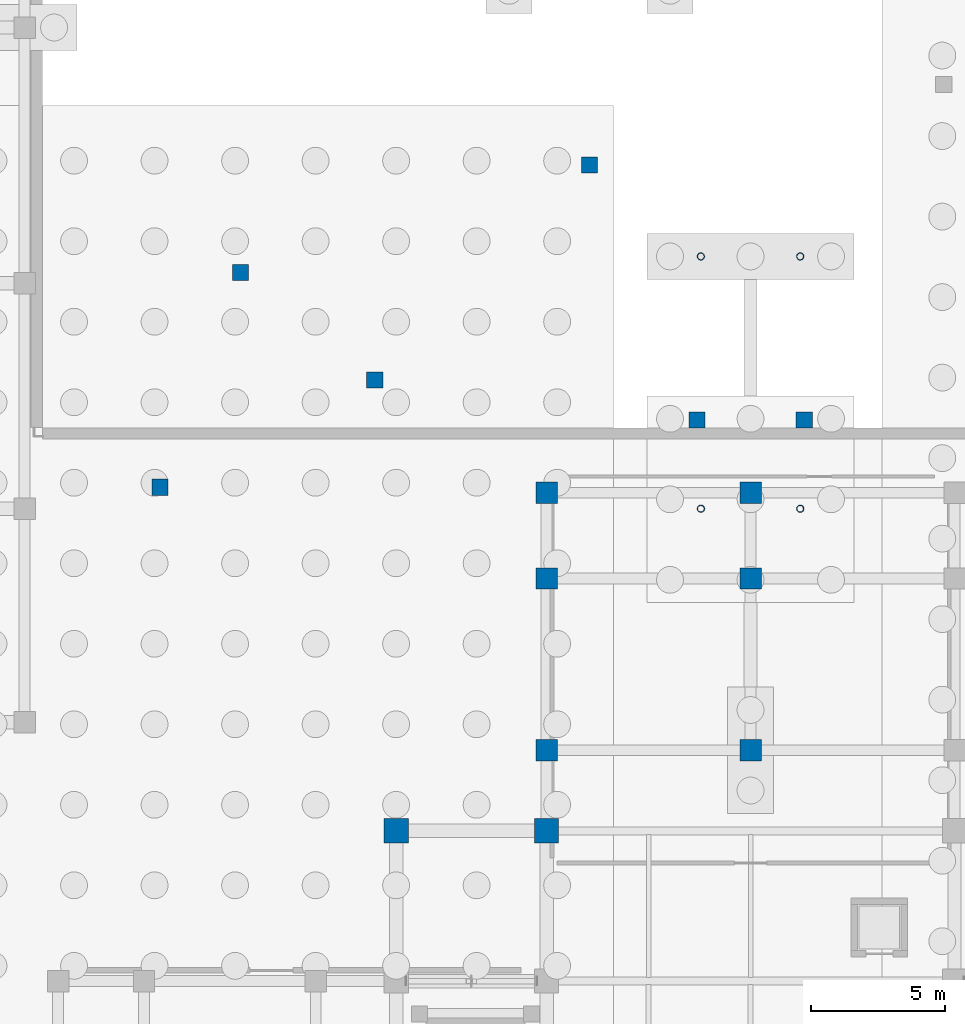
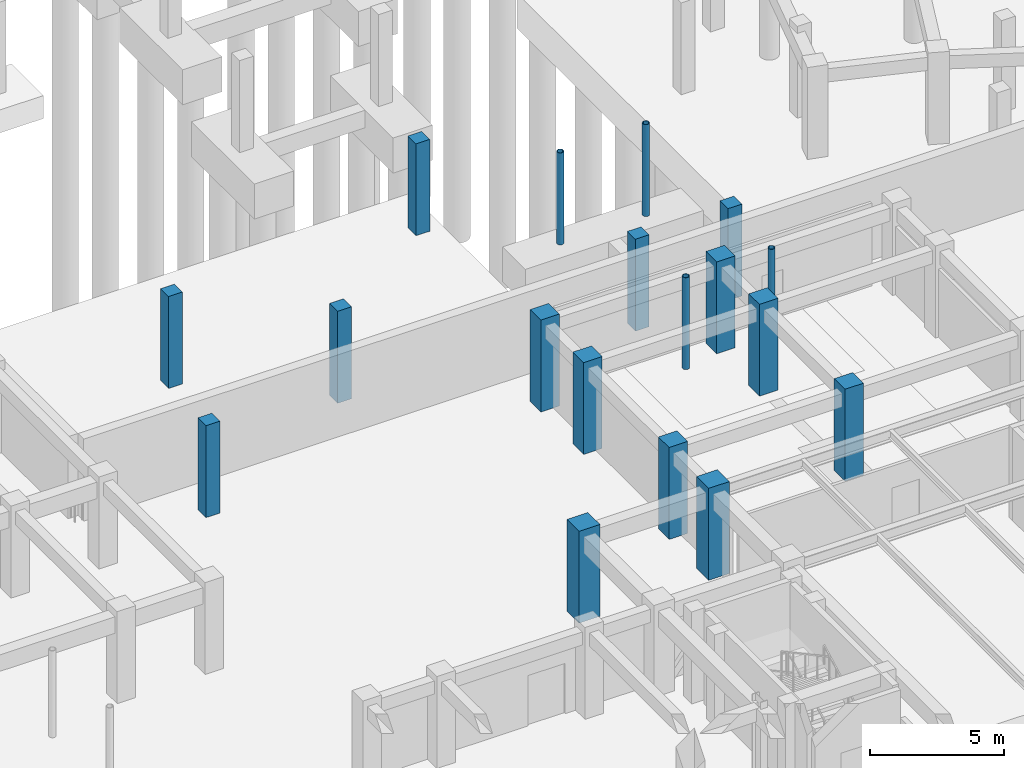
# One storey, part 12 of 33: 18 columns.
"""IFC4 building model written with IfcOpenShell, lengths in metres."""

from ifc_helpers import new_model, si_unit, direction, frame, origin, origin_2d, place, context, subcontext, project, spatial, rectangle, hollow_circle, extrude, material, material_profile, profile_set, type_object, element, save


model = new_model("IFC4")

# Units and contexts
model_context = context("Model", 3, precision=1e-05, world=origin(), true_north=direction((0.0, 1.0)))
body_context = subcontext(model_context, "Body", "Model", "MODEL_VIEW")
ifc_project = project(units=[si_unit("LENGTHUNIT", "METRE"), si_unit("AREAUNIT", "SQUARE_METRE"), si_unit("VOLUMEUNIT", "CUBIC_METRE"), si_unit("PLANEANGLEUNIT", "RADIAN"), si_unit("MASSUNIT", "GRAM", prefix="KILO")], contexts=[model_context])

# Site, building, storey
site_placement = place(None, origin())
site = spatial("IfcSite", under=ifc_project, at=site_placement, CompositionType="ELEMENT")
building_placement = place(site_placement, origin())
building = spatial("IfcBuilding", under=site, at=building_placement, Name="Saryqyr Civic Hall", CompositionType="ELEMENT")
storey_placement = place(building_placement, frame((0.0, 0.0, -4.199951171875)))
storey = spatial("IfcBuildingStorey", under=building, at=storey_placement, Name="B1", CompositionType="ELEMENT", Elevation=-4.199951171875)

# Columns
ifc_material_1 = material(Name="Steel S355", Category="steel")
ifc_material_profile_1 = material_profile(ifc_material_1, hollow_circle(Radius=0.136474609375, WallThickness=0.01611328125, at=origin_2d()), Name="CHS 273x16")
ifc_profile_set_1 = profile_set([ifc_material_profile_1], Name="Steel S355")
column_type_1 = type_object("IfcColumnType", Name="STR-COL-CHS273-S355", PredefinedType="COLUMN", material=ifc_profile_set_1)
for number, where, z_axis, x_axis, name in (
    (1, (55.14990234375, 109.199951171875, 0.0), (0.0, 0.0, 1.0), (1.0, 0.0, 0.0), "Column BRCOL-BR-CN-1-B1"),
    (2, (58.85009765625, 109.199951171875, 0.0), (0.0, 0.0, 1.0), (1.0, 0.0, 0.0), "Column BRCOL-BR-CN-2-B1"),
    (3, (58.85009765625, 118.60009765625, 0.0), (0.0, 0.0, 1.0), (1.0, 0.0, 0.0), "Column BRCOL-BR-CN-3-B1"),
    (4, (55.14990234375, 118.60009765625, 0.0), (0.0, 0.0, 1.0), (1.0, 0.0, 0.0), "Column BRCOL-BR-CN-4-B1"),
):
    element("IfcColumn", number, at=place(storey_placement, frame(where, z_axis=z_axis, x_axis=x_axis)), inside=storey, type_object=column_type_1, Name=name, PredefinedType="COLUMN", context=body_context, shape_type="SweptSolid", body=[
        extrude(hollow_circle(Radius=0.136474609375, WallThickness=0.01611328125, at=origin_2d()), origin(), (0.0, 0.0, 1.0), 4.199951171875),
    ])
ifc_material_2 = material(Name="Concrete C40/50", Category="concrete")
ifc_material_profile_2 = material_profile(ifc_material_2, rectangle(XDim=0.60009765625, YDim=0.60009765625, at=origin_2d()), Name="RC 600x600")
ifc_profile_set_2 = profile_set([ifc_material_profile_2], Name="Concrete C40/50")
column_type_2 = type_object("IfcColumnType", Name="STR-COL-RC600-C40", PredefinedType="COLUMN", material=ifc_profile_set_2)
for number, where, z_axis, x_axis, name in (
    (5, (38.0, 118.0, 0.0), (0.0, 0.0, 1.0), (1.0, 0.0, 0.0), "Column V2-XCOL-16-B1"),
    (6, (43.0, 114.0, 0.0), (0.0, 0.0, 1.0), (1.0, 0.0, 0.0), "Column V2-XCOL-17-B1"),
    (7, (35.0, 110.0, 0.0), (0.0, 0.0, 1.0), (1.0, 0.0, 0.0), "Column V2-XCOL-18-B1"),
    (8, (51.0, 122.0, 0.0), (0.0, 0.0, 1.0), (1.0, 0.0, 0.0), "Column V2-XCOL-21-B1"),
    (9, (55.0, 112.5, 0.0), (0.0, 0.0, 1.0), (1.0, 0.0, 0.0), "Column V2-XCOL-33-B1"),
    (10, (59.0, 112.5, 0.0), (0.0, 0.0, 1.0), (1.0, 0.0, 0.0), "Column V2-XCOL-34-B1"),
):
    element("IfcColumn", number, at=place(storey_placement, frame(where, z_axis=z_axis, x_axis=x_axis)), inside=storey, type_object=column_type_2, Name=name, PredefinedType="COLUMN", context=body_context, shape_type="SweptSolid", body=[
        extrude(rectangle(XDim=0.60009765625, YDim=0.60009765625, at=origin_2d()), origin(), (0.0, 0.0, 1.0), 4.199951171875),
    ])
ifc_material_profile_3 = material_profile(ifc_material_2, rectangle(XDim=0.800048828125, YDim=0.800048828125, at=origin_2d()), Name="RC 800x800")
ifc_profile_set_3 = profile_set([ifc_material_profile_3], Name="Concrete C40/50")
column_type_3 = type_object("IfcColumnType", Name="STR-COL-RC800-C40", PredefinedType="COLUMN", material=ifc_profile_set_3)
for number, where, z_axis, x_axis, name in (
    (11, (49.39990234375, 100.199951171875, 0.0), (0.0, 0.0, 1.0), (1.0, 0.0, 0.0), "Column V1-COL-S3P10-B1"),
    (12, (57.0, 100.199951171875, 0.0), (0.0, 0.0, 1.0), (1.0, 0.0, 0.0), "Column V1-COL-S3P11-B1"),
    (13, (49.39990234375, 106.60009765625, 0.0), (0.0, 0.0, 1.0), (1.0, 0.0, 0.0), "Column V1-COL-S1P10-B1"),
    (14, (57.0, 106.60009765625, 0.0), (0.0, 0.0, 1.0), (1.0, 0.0, 0.0), "Column V1-COL-S1P11-B1"),
    (15, (49.39990234375, 109.800048828125, 0.0), (0.0, 0.0, 1.0), (1.0, 0.0, 0.0), "Column V1-COL-S0P10-B1"),
    (16, (57.0, 109.800048828125, 0.0), (0.0, 0.0, 1.0), (1.0, 0.0, 0.0), "Column V1-COL-S0P11-B1"),
):
    element("IfcColumn", number, at=place(storey_placement, frame(where, z_axis=z_axis, x_axis=x_axis)), inside=storey, type_object=column_type_3, Name=name, PredefinedType="COLUMN", context=body_context, shape_type="SweptSolid", body=[
        extrude(rectangle(XDim=0.800048828125, YDim=0.800048828125, at=origin_2d()), origin(), (0.0, 0.0, 1.0), 4.199951171875),
    ])
ifc_material_profile_4 = material_profile(ifc_material_2, rectangle(XDim=0.89990234375, YDim=0.89990234375, at=origin_2d()), Name="RC 900x900")
ifc_profile_set_4 = profile_set([ifc_material_profile_4], Name="Concrete C40/50")
column_type_4 = type_object("IfcColumnType", Name="STR-COL-RC900-C40", PredefinedType="COLUMN", material=ifc_profile_set_4)
for number, where, z_axis, x_axis, name in (
    (17, (43.800048828125, 97.199951171875, 0.0), (0.0, 0.0, 1.0), (1.0, 0.0, 0.0), "Column V1-COL-C14-B1"),
    (18, (49.39990234375, 97.199951171875, 0.0), (0.0, 0.0, 1.0), (1.0, 0.0, 0.0), "Column V1-COL-C24-B1"),
):
    element("IfcColumn", number, at=place(storey_placement, frame(where, z_axis=z_axis, x_axis=x_axis)), inside=storey, type_object=column_type_4, Name=name, PredefinedType="COLUMN", context=body_context, shape_type="SweptSolid", body=[
        extrude(rectangle(XDim=0.89990234375, YDim=0.89990234375, at=origin_2d()), origin(), (0.0, 0.0, 1.0), 4.199951171875),
    ])

save(model, "model.ifc")
